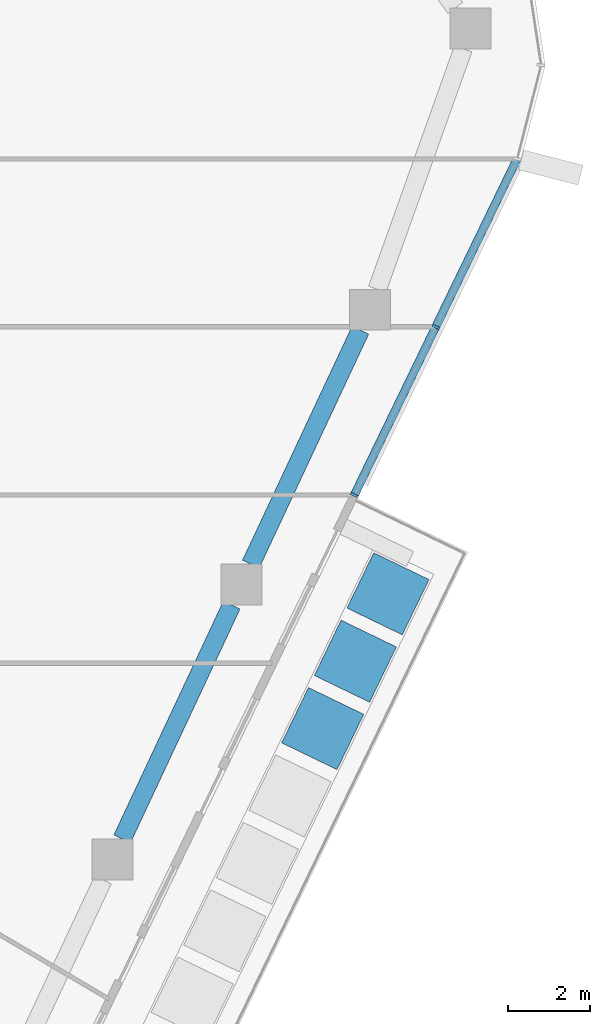
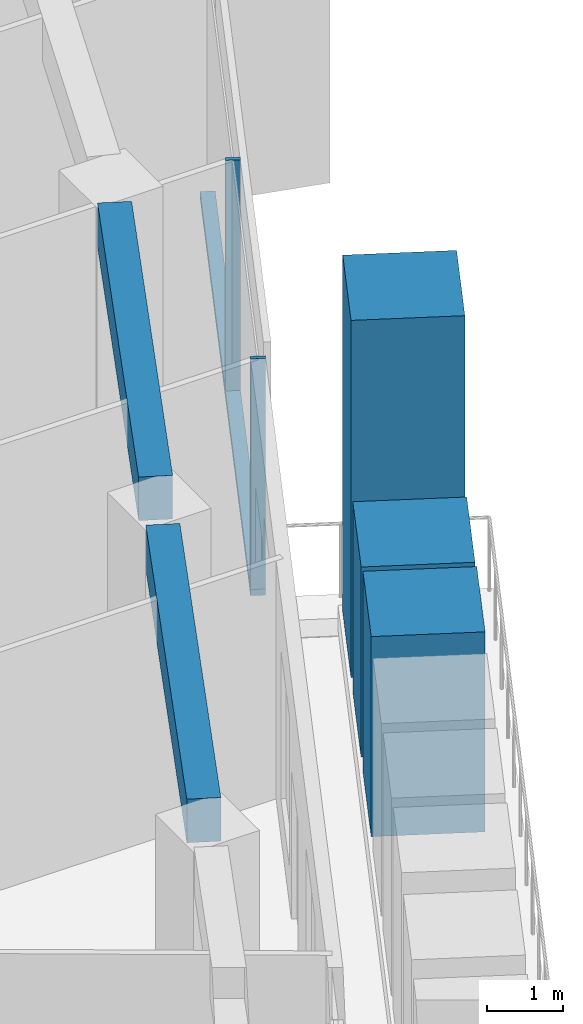
# One storey, part 5 of 24: 6 members, 2 beams, 1 element without a shape of its own.
"""IFC4 building model written with IfcOpenShell, lengths in metres."""

from ifc_helpers import new_model, si_unit, direction, frame, origin, origin_2d, place, context, subcontext, project, spatial, rectangle, extrude, material, layer, layer_set, material_profile, profile_set, type_object, element, aggregate, save


model = new_model("IFC4")

# Units and contexts
model_context = context("Model", 3, precision=1e-05, world=origin(), true_north=direction((0.0, 1.0)))
body_context = subcontext(model_context, "Body", "Model", "MODEL_VIEW")
ifc_project = project(units=[si_unit("LENGTHUNIT", "METRE"), si_unit("AREAUNIT", "SQUARE_METRE"), si_unit("VOLUMEUNIT", "CUBIC_METRE"), si_unit("PLANEANGLEUNIT", "RADIAN"), si_unit("MASSUNIT", "GRAM", prefix="KILO")], contexts=[model_context])

# Site, building, storey
site_placement = place(None, origin())
site = spatial("IfcSite", under=ifc_project, at=site_placement, CompositionType="ELEMENT")
building_placement = place(site_placement, origin())
building = spatial("IfcBuilding", under=site, at=building_placement, Name="Dongbaek Canopy Tower", CompositionType="ELEMENT")
storey_placement = place(building_placement, frame((0.0, 0.0, 302.60009765625)))
storey = spatial("IfcBuildingStorey", under=building, at=storey_placement, Name="L64", CompositionType="ELEMENT", Elevation=302.60009765625)

# Curtain wall, members
ifc_material_1 = material(Name="Aluminium 6063-T6 pale anodised", Category="aluminium")
ifc_layer = layer(ifc_material_1, 0.199951171875)
ifc_layer_set = layer_set([ifc_layer], Name="CW-1 unitised tower curtain wall")
curtain_wall_type = type_object("IfcCurtainWallType", Name="CW-1 unitised tower curtain wall", PredefinedType="NOTDEFINED", material=ifc_layer_set)
curtain_wall_placement = place(storey_placement, origin())
curtain_wall = element("IfcCurtainWall", 1, at=curtain_wall_placement, inside=storey, type_object=curtain_wall_type, Name="CW-1 curtain wall F5.1", PredefinedType="NOTDEFINED")
ifc_material_2 = material(Name="Aluminium 6063-T6 pale anodised", Category="aluminium")
ifc_material_profile_1 = material_profile(ifc_material_2, rectangle(XDim=0.199951171875, YDim=0.06005859375, at=origin_2d()), Name="CW-1 mullion 60 x 200")
ifc_profile_set_1 = profile_set([ifc_material_profile_1], Name="Aluminium 6063-T6 pale anodised")
member_type_1 = type_object("IfcMemberType", Name="CW-1 mullion 60 x 200", PredefinedType="MULLION", material=ifc_profile_set_1)
member_1_placement = place(storey_placement, frame((27.970703125, -4.69189453125, 0.119873046875), z_axis=(0.0, 0.0, 1.0), x_axis=(0.900012864193, -0.435863332121, 0.0)))
member_1 = element("IfcMember", 2, at=member_1_placement, type_object=member_type_1, Name="CW-1 mullion F5.1.1", PredefinedType="MULLION", context=body_context, shape_type="SweptSolid", body=[
    extrude(rectangle(XDim=0.199951171875, YDim=0.06005859375, at=origin_2d()), origin(), (0.0, 0.0, 1.0), 3.699951171875),
])
member_2_placement = place(storey_placement, frame((29.959228515625, -0.5859375, 0.119873046875), z_axis=(0.0, 0.0, 1.0), x_axis=(0.900012864193, -0.435863332121, 0.0)))
member_2 = element("IfcMember", 3, at=member_2_placement, type_object=member_type_1, Name="CW-1 mullion F5.1.2", PredefinedType="MULLION", context=body_context, shape_type="SweptSolid", body=[
    extrude(rectangle(XDim=0.199951171875, YDim=0.06005859375, at=origin_2d()), origin(), (0.0, 0.0, 1.0), 3.699951171875),
])
ifc_material_3 = material(Name="Aluminium 6063-T6 pale anodised", Category="aluminium")
ifc_material_profile_2 = material_profile(ifc_material_3, rectangle(XDim=0.199951171875, YDim=0.1201171875, at=origin_2d()), Name="CW-1 transom 120 x 200")
ifc_profile_set_2 = profile_set([ifc_material_profile_2], Name="Aluminium 6063-T6 pale anodised")
member_type_2 = type_object("IfcMemberType", Name="CW-1 transom 120 x 200", PredefinedType="USERDEFINED", material=ifc_profile_set_2)
member_3_placement = place(storey_placement, frame((27.970703125, -4.69189453125, 0.059814453125), z_axis=(0.435863365073, 0.900012848234, 0.0), x_axis=(-0.900012848234, 0.435863365073, 0.0)))
member_3 = element("IfcMember", 4, at=member_3_placement, type_object=member_type_2, Name="CW-1 transom F5.1.1", ObjectType="TRANSOM", PredefinedType="USERDEFINED", context=body_context, shape_type="SweptSolid", body=[
    extrude(rectangle(XDim=0.199951171875, YDim=0.1201171875, at=origin_2d()), origin(), (0.0, 0.0, 1.0), 9.114501953125),
])
aggregate(curtain_wall, [member_1, member_2, member_3])

# Beams
ifc_material_4 = material(Name="Concrete C60", Category="concrete")
ifc_material_profile_3 = material_profile(ifc_material_4, rectangle(XDim=0.449951171875, YDim=0.699951171875, at=origin_2d()), Name="RC EDGE BEAM 450x700 C60")
ifc_profile_set_3 = profile_set([ifc_material_profile_3], Name="Concrete C60")
beam_type = type_object("IfcBeamType", Name="RC EDGE BEAM 450x700 C60", PredefinedType="BEAM", material=ifc_profile_set_3)
beam_1_placement = place(storey_placement, frame((28.116943359375, -0.669921875, 3.469970703125), z_axis=(-0.42401310583, -0.905656052861, 0.0), x_axis=(0.905656052861, -0.42401310583, 0.0)))
element("IfcBeam", 5, at=beam_1_placement, inside=storey, type_object=beam_type, Name="EDGEBEAM:L64:22", PredefinedType="BEAM", context=body_context, shape_type="SweptSolid", body=[
    extrude(rectangle(XDim=0.449951171875, YDim=0.699951171875, at=origin_2d()), origin(), (0.0, 0.0, 1.0), 6.3037109375),
])
beam_2_placement = place(storey_placement, frame((24.975830078125, -7.37890625, 3.469970703125), z_axis=(-0.424108398663, -0.905611432229, 0.0), x_axis=(0.905611432229, -0.424108398663, 0.0)))
element("IfcBeam", 6, at=beam_2_placement, inside=storey, type_object=beam_type, Name="EDGEBEAM:L64:23", PredefinedType="BEAM", context=body_context, shape_type="SweptSolid", body=[
    extrude(rectangle(XDim=0.449951171875, YDim=0.699951171875, at=origin_2d()), origin(), (0.0, 0.0, 1.0), 6.303955078125),
])

# Members
ifc_material_5 = material(Name="Concrete C40/50 planter mass with planting", Category="concrete")
ifc_material_profile_4 = material_profile(ifc_material_5, rectangle(XDim=1.5, YDim=1.5, at=origin_2d()), Name="Terrace PLANTER shrub mass 1500 x 1500")
ifc_profile_set_4 = profile_set([ifc_material_profile_4], Name="Concrete C40/50 planter mass with planting")
member_type_3 = type_object("IfcMemberType", Name="Terrace PLANTER shrub mass 1500 x 1500", PredefinedType="USERDEFINED", material=ifc_profile_set_4)
member_4_placement = place(storey_placement, frame((27.197998046875, -10.394287109375, 0.419921875), z_axis=(0.0, 0.0, 1.0), x_axis=(0.900012864193, -0.435863332121, 0.0)))
element("IfcMember", 7, at=member_4_placement, inside=storey, type_object=member_type_3, Name="Planter shrubs L64 5.7", ObjectType="PLANTER", PredefinedType="USERDEFINED", context=body_context, shape_type="SweptSolid", body=[
    extrude(rectangle(XDim=1.5, YDim=1.5, at=origin_2d()), origin(), (0.0, 0.0, 1.0), 3.2099609375),
])
member_5_placement = place(storey_placement, frame((27.99462890625, -8.74951171875, 0.419921875), z_axis=(0.0, 0.0, 1.0), x_axis=(0.900012864193, -0.435863332121, 0.0)))
element("IfcMember", 8, at=member_5_placement, inside=storey, type_object=member_type_3, Name="Planter shrubs L64 5.8", ObjectType="PLANTER", PredefinedType="USERDEFINED", context=body_context, shape_type="SweptSolid", body=[
    extrude(rectangle(XDim=1.5, YDim=1.5, at=origin_2d()), origin(), (0.0, 0.0, 1.0), 3.050048828125),
])
member_6_placement = place(storey_placement, frame((28.791259765625, -7.1044921875, 0.419921875), z_axis=(0.0, 0.0, 1.0), x_axis=(0.900012864193, -0.435863332121, 0.0)))
element("IfcMember", 9, at=member_6_placement, inside=storey, type_object=member_type_3, Name="Planter tree L64 5.9", ObjectType="PLANTER", PredefinedType="USERDEFINED", context=body_context, shape_type="SweptSolid", body=[
    extrude(rectangle(XDim=1.5, YDim=1.5, at=origin_2d()), origin(), (0.0, 0.0, 1.0), 5.72998046875),
])

save(model, "model.ifc")
